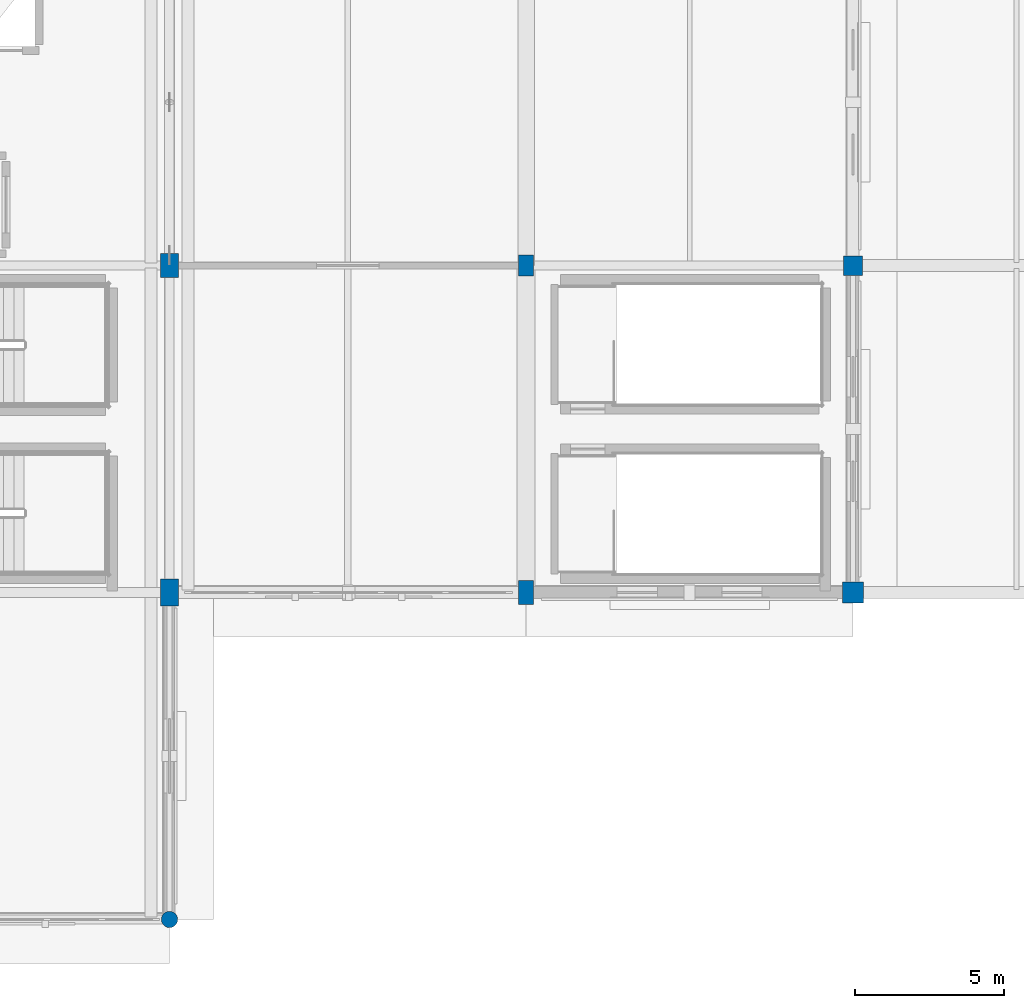
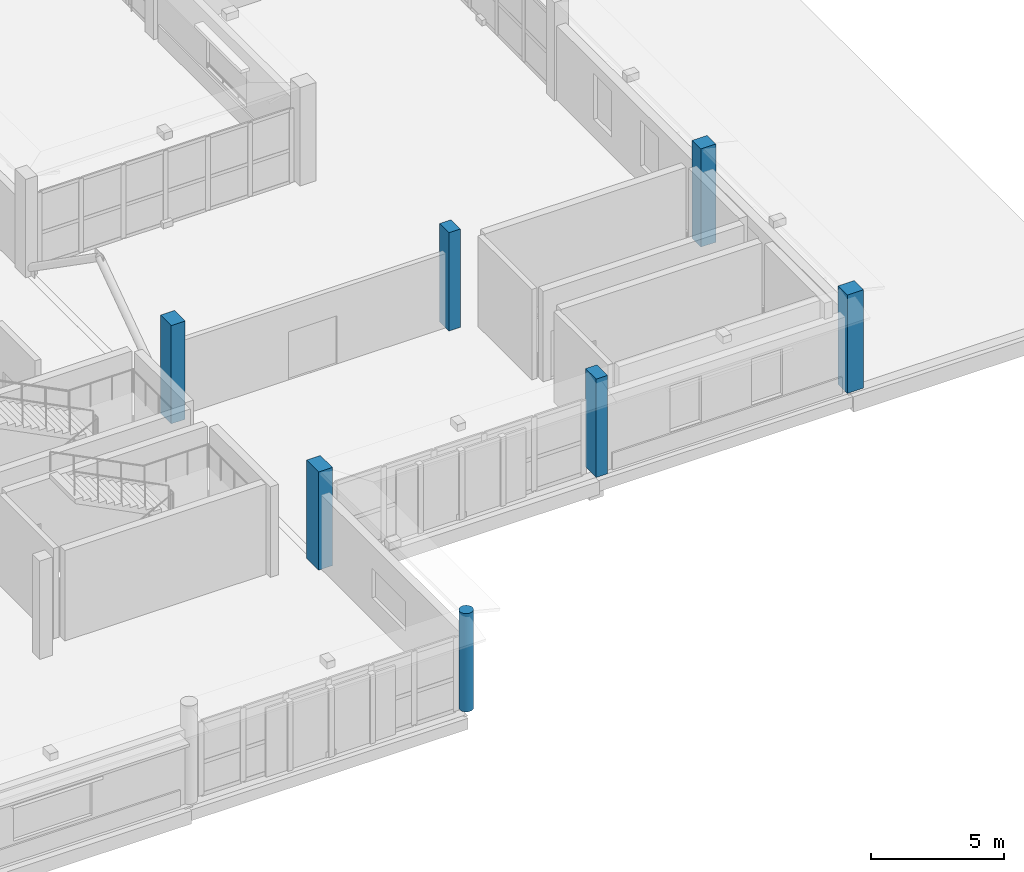
# One storey, part 16 of 118: 7 columns.
"""IFC4 building model written with IfcOpenShell, lengths in metres."""

from ifc_helpers import new_model, si_unit, direction, frame, origin, origin_2d, place, context, subcontext, project, spatial, rectangle, circle, extrude, material, material_profile, profile_set, type_object, element, save


model = new_model("IFC4")

# Units and contexts
model_context = context("Model", 3, precision=1e-05, world=origin(), true_north=direction((0.0, 1.0)))
body_context = subcontext(model_context, "Body", "Model", "MODEL_VIEW")
ifc_project = project(units=[si_unit("LENGTHUNIT", "METRE"), si_unit("AREAUNIT", "SQUARE_METRE"), si_unit("VOLUMEUNIT", "CUBIC_METRE"), si_unit("PLANEANGLEUNIT", "RADIAN"), si_unit("MASSUNIT", "GRAM", prefix="KILO")], contexts=[model_context])

# Site, building, storey
site_placement = place(None, origin())
site = spatial("IfcSite", under=ifc_project, at=site_placement, CompositionType="ELEMENT")
building_placement = place(site_placement, origin())
building = spatial("IfcBuilding", under=site, at=building_placement, Name="Luwafu Chhajja Arena", CompositionType="ELEMENT")
storey_placement = place(building_placement, frame((0.0, 0.0, 10.199951171875)))
storey = spatial("IfcBuildingStorey", under=building, at=storey_placement, Name="L02", CompositionType="ELEMENT", Elevation=10.199951171875)

# Columns
ifc_material_1 = material(Name="Concrete C35/45", Category="concrete")
ifc_material_profile_1 = material_profile(ifc_material_1, rectangle(XDim=0.5, YDim=0.800048828125, at=origin_2d()), Name="RC 500x800")
ifc_profile_set_1 = profile_set([ifc_material_profile_1], Name="Concrete C35/45")
column_type_1 = type_object("IfcColumnType", Name="BOH Frame Column RC 500x800", PredefinedType="COLUMN", material=ifc_profile_set_1)
column_1_placement = place(storey_placement, frame((176.0, 11.0, 0.0), z_axis=(0.0, 0.0, 1.0), x_axis=(1.0, 0.0, 0.0)))
element("IfcColumn", 1, at=column_1_placement, inside=storey, type_object=column_type_1, Name="L02 Grid Column 16/B", PredefinedType="COLUMN", context=body_context, shape_type="SweptSolid", body=[
    extrude(rectangle(XDim=0.5, YDim=0.800048828125, at=origin_2d()), origin(), (0.0, 0.0, 1.0), 4.5),
])
ifc_material_profile_2 = material_profile(ifc_material_1, rectangle(XDim=0.5, YDim=0.699951171875, at=origin_2d()), Name="RC 500x700")
ifc_profile_set_2 = profile_set([ifc_material_profile_2], Name="Concrete C35/45")
column_type_2 = type_object("IfcColumnType", Name="Perimeter Pilaster Column RC 500x700", PredefinedType="COLUMN", material=ifc_profile_set_2)
column_2_placement = place(storey_placement, frame((176.0, 22.0, 0.0), z_axis=(0.0, 0.0, 1.0), x_axis=(1.0, 0.0, 0.0)))
element("IfcColumn", 2, at=column_2_placement, inside=storey, type_object=column_type_2, Name="L02 Grid Column 16/C", PredefinedType="COLUMN", context=body_context, shape_type="SweptSolid", body=[
    extrude(rectangle(XDim=0.5, YDim=0.699951171875, at=origin_2d()), origin(), (0.0, 0.0, 1.0), 4.5),
])
ifc_material_2 = material(Name="Concrete C40/50", Category="concrete")
ifc_material_profile_3 = material_profile(ifc_material_2, rectangle(XDim=0.60009765625, YDim=0.800048828125, at=origin_2d()), Name="RC 600x800")
ifc_profile_set_3 = profile_set([ifc_material_profile_3], Name="Concrete C40/50")
column_type_3 = type_object("IfcColumnType", Name="Pishtaq Pier Column RC 600x800", PredefinedType="COLUMN", material=ifc_profile_set_3)
column_3_placement = place(storey_placement, frame((164.0, 22.0, 0.0), z_axis=(0.0, 0.0, 1.0), x_axis=(1.0, 0.0, 0.0)))
element("IfcColumn", 3, at=column_3_placement, inside=storey, type_object=column_type_3, Name="L02 Grid Column 15/C", PredefinedType="COLUMN", context=body_context, shape_type="SweptSolid", body=[
    extrude(rectangle(XDim=0.60009765625, YDim=0.800048828125, at=origin_2d()), origin(), (0.0, 0.0, 1.0), 4.5),
])
ifc_material_profile_4 = material_profile(ifc_material_1, circle(Radius=0.27490234375, at=origin_2d()), Name="RC COL D550")
ifc_profile_set_4 = profile_set([ifc_material_profile_4], Name="Concrete C35/45")
column_type_4 = type_object("IfcColumnType", Name="Terrace Loggia Pier D550", PredefinedType="COLUMN", material=ifc_profile_set_4)
column_4_placement = place(storey_placement, frame((164.0, 0.0, 0.0), z_axis=(0.0, 0.0, 1.0), x_axis=(1.0, 0.0, 0.0)))
element("IfcColumn", 4, at=column_4_placement, inside=storey, type_object=column_type_4, Name="L02 Grid Column 15/A", PredefinedType="COLUMN", context=body_context, shape_type="SweptSolid", body=[
    extrude(circle(Radius=0.27490234375, at=origin_2d()), origin(), (0.0, 0.0, 1.0), 4.5),
])
ifc_material_profile_5 = material_profile(ifc_material_1, rectangle(XDim=0.64990234375, YDim=0.64990234375, at=origin_2d()), Name="RC 650x650")
ifc_profile_set_5 = profile_set([ifc_material_profile_5], Name="Concrete C35/45")
column_type_5 = type_object("IfcColumnType", Name="Upper Wing Column RC 650", PredefinedType="COLUMN", material=ifc_profile_set_5)
column_5_placement = place(storey_placement, frame((187.0, 22.0, 0.0), z_axis=(0.0, 0.0, 1.0), x_axis=(1.0, 0.0, 0.0)))
element("IfcColumn", 5, at=column_5_placement, inside=storey, type_object=column_type_5, Name="L02 Grid Column 17/C", PredefinedType="COLUMN", context=body_context, shape_type="SweptSolid", body=[
    extrude(rectangle(XDim=0.64990234375, YDim=0.64990234375, at=origin_2d()), origin(), (0.0, 0.0, 1.0), 4.5),
])
ifc_material_profile_6 = material_profile(ifc_material_2, rectangle(XDim=0.60009765625, YDim=0.89990234375, at=origin_2d()), Name="RC 600x900")
ifc_profile_set_6 = profile_set([ifc_material_profile_6], Name="Concrete C40/50")
column_type_6 = type_object("IfcColumnType", Name="Warm-Up Hall Portal Column RC 600x900", PredefinedType="COLUMN", material=ifc_profile_set_6)
column_6_placement = place(storey_placement, frame((164.0, 11.0, 0.0), z_axis=(0.0, 0.0, 1.0), x_axis=(1.0, 0.0, 0.0)))
element("IfcColumn", 6, at=column_6_placement, inside=storey, type_object=column_type_6, Name="L02 Grid Column 15/B", PredefinedType="COLUMN", context=body_context, shape_type="SweptSolid", body=[
    extrude(rectangle(XDim=0.60009765625, YDim=0.89990234375, at=origin_2d()), origin(), (0.0, 0.0, 1.0), 4.5),
])
ifc_material_profile_7 = material_profile(ifc_material_1, rectangle(XDim=0.699951171875, YDim=0.699951171875, at=origin_2d()), Name="RC 700x700")
ifc_profile_set_7 = profile_set([ifc_material_profile_7], Name="Concrete C35/45")
column_type_7 = type_object("IfcColumnType", Name="Wing Frame Column RC 700", PredefinedType="COLUMN", material=ifc_profile_set_7)
column_7_placement = place(storey_placement, frame((187.0, 11.0, 0.0), z_axis=(0.0, 0.0, 1.0), x_axis=(1.0, 0.0, 0.0)))
element("IfcColumn", 7, at=column_7_placement, inside=storey, type_object=column_type_7, Name="L02 Grid Column 17/B", PredefinedType="COLUMN", context=body_context, shape_type="SweptSolid", body=[
    extrude(rectangle(XDim=0.699951171875, YDim=0.699951171875, at=origin_2d()), origin(), (0.0, 0.0, 1.0), 4.5),
])

save(model, "model.ifc")
